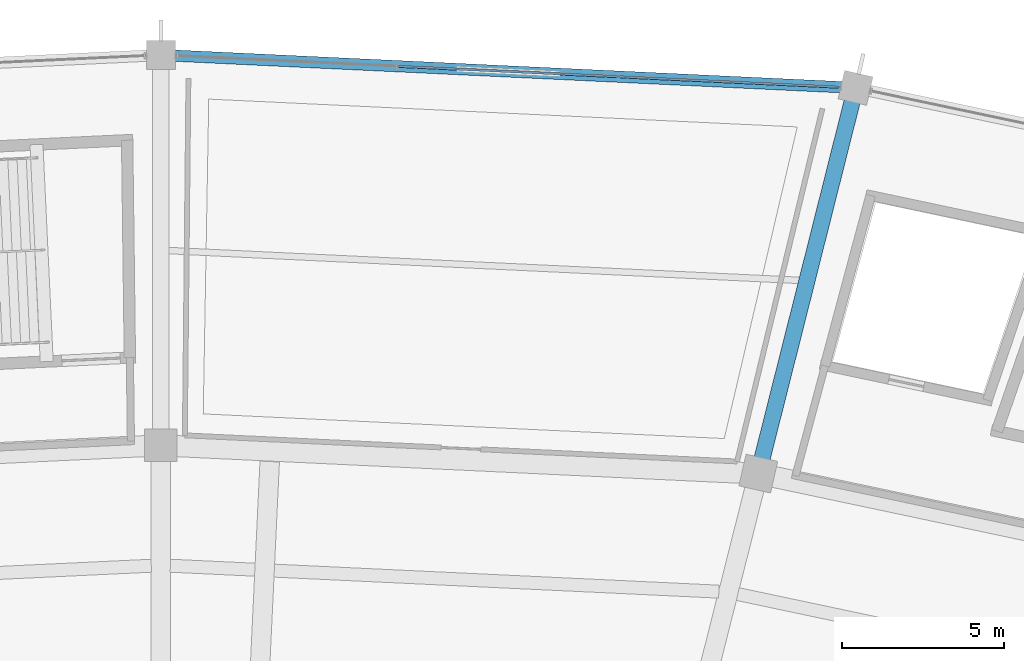
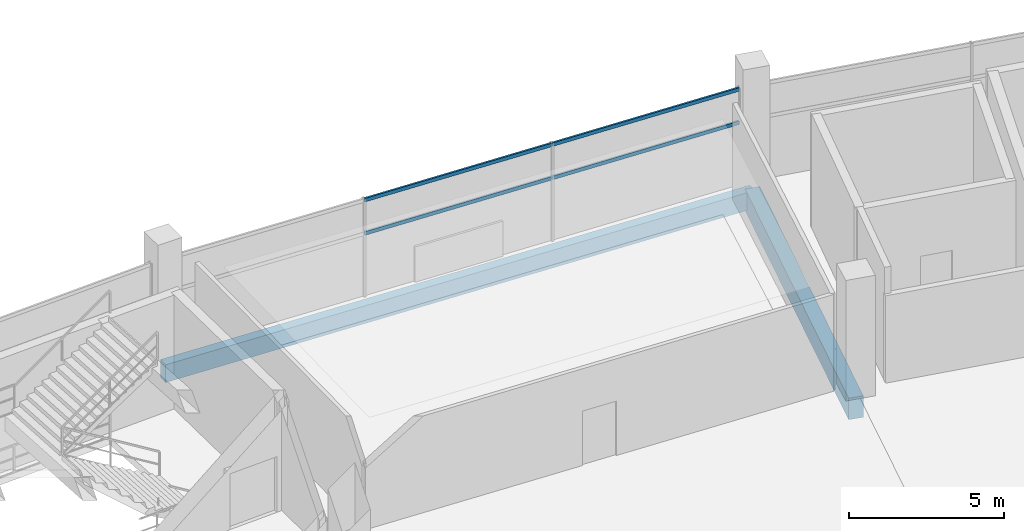
# One storey, part 86 of 156: 4 members, 2 beams, 1 element without a shape of its own.
"""IFC4 building model written with IfcOpenShell, lengths in metres."""

from ifc_helpers import new_model, si_unit, direction, frame, origin, origin_2d, place, context, subcontext, project, spatial, rectangle, hollow_rectangle, extrude, material, layer, layer_set, material_profile, profile_set, type_object, element, aggregate, save


model = new_model("IFC4")

# Units and contexts
model_context = context("Model", 3, precision=1e-05, world=origin(), true_north=direction((0.0, 1.0)))
body_context = subcontext(model_context, "Body", "Model", "MODEL_VIEW")
ifc_project = project(units=[si_unit("LENGTHUNIT", "METRE"), si_unit("AREAUNIT", "SQUARE_METRE"), si_unit("VOLUMEUNIT", "CUBIC_METRE"), si_unit("PLANEANGLEUNIT", "RADIAN"), si_unit("MASSUNIT", "GRAM", prefix="KILO")], contexts=[model_context])

# Site, building, storey
site_placement = place(None, origin())
site = spatial("IfcSite", under=ifc_project, at=site_placement, CompositionType="ELEMENT")
building_placement = place(site_placement, origin())
building = spatial("IfcBuilding", under=site, at=building_placement, Name="Kazemori Nagisa Stadium", CompositionType="ELEMENT")
storey_placement = place(building_placement, frame((0.0, 0.0, 5.780029296875)))
storey = spatial("IfcBuildingStorey", under=building, at=storey_placement, Name="L01", CompositionType="ELEMENT", Elevation=5.780029296875)

# Beams
ifc_material_1 = material(Name="Concrete C40/50 (Fc42)", Category="concrete")
ifc_material_profile_1 = material_profile(ifc_material_1, rectangle(XDim=0.5, YDim=0.85009765625, at=origin_2d()), Name="RC-BM-500x850")
ifc_profile_set_1 = profile_set([ifc_material_profile_1], Name="Concrete C40/50 (Fc42)")
beam_type_1 = type_object("IfcBeamType", Name="Beam_BG-RC500X850", PredefinedType="BEAM", material=ifc_profile_set_1)
beam_1_placement = place(storey_placement, frame((141.427734375, 175.088623046875, -0.705078125), z_axis=(0.244487324834, 0.969652488263, 0.0), x_axis=(-0.969652488263, 0.244487324834, 0.0)))
element("IfcBeam", 1, at=beam_1_placement, inside=storey, type_object=beam_type_1, Name="Radial girder BG-RC500X850 L01 R2-R3-07", PredefinedType="BEAM", context=body_context, shape_type="SweptSolid", body=[
    extrude(rectangle(XDim=0.5, YDim=0.85009765625, at=origin_2d()), origin(), (0.0, 0.0, 1.0), 12.2705078125),
])
ifc_material_profile_2 = material_profile(ifc_material_1, rectangle(XDim=0.35009765625, YDim=0.699951171875, at=origin_2d()), Name="RC-SP-350x700")
ifc_profile_set_2 = profile_set([ifc_material_profile_2], Name="Concrete C40/50 (Fc42)")
beam_type_2 = type_object("IfcBeamType", Name="Beam_BS-RC350X700", PredefinedType="SPANDREL", material=ifc_profile_set_2)
beam_2_placement = place(storey_placement, frame((144.427734375, 186.98681640625, -0.630126953125), z_axis=(-0.998883994571, 0.047230979144, 0.0), x_axis=(-0.047230979144, -0.998883994571, 0.0)))
element("IfcBeam", 2, at=beam_2_placement, inside=storey, type_object=beam_type_2, Name="Ring girder BS-RC350X700 L01 R3-07", PredefinedType="SPANDREL", context=body_context, shape_type="SweptSolid", body=[
    extrude(rectangle(XDim=0.35009765625, YDim=0.699951171875, at=origin_2d()), origin(), (0.0, 0.0, 1.0), 21.45166015625),
])

# Curtain wall, members
ifc_material_2 = material(Name="Anodised aluminium 6063-T5", Category="aluminium")
ifc_layer = layer(ifc_material_2, 0.179931640625, Name="Anodised aluminium 6063-T5", Category="aluminium")
ifc_layer_set = layer_set([ifc_layer], Name="Anodised aluminium 6063-T5")
curtain_wall_type = type_object("IfcCurtainWallType", Name="CW_L01R3_103", PredefinedType="USERDEFINED", material=ifc_layer_set)
curtain_wall_placement = place(storey_placement, origin())
curtain_wall = element("IfcCurtainWall", 3, at=curtain_wall_placement, inside=storey, type_object=curtain_wall_type, Name="Unitised curtain wall CW-L01R3-103 L01", ObjectType="UNITISED CURTAIN WALL", PredefinedType="USERDEFINED")
ifc_material_3 = material(Name="Aluminium 6063-T5 anodised", Category="aluminium")
ifc_material_profile_3 = material_profile(ifc_material_3, hollow_rectangle(XDim=0.070068359375, YDim=0.139892578125, WallThickness=0.00390625, at=origin_2d()), Name="ALU-TRAN-70x140x4")
ifc_profile_set_3 = profile_set([ifc_material_profile_3], Name="Aluminium 6063-T5 anodised")
member_type = type_object("IfcMemberType", Name="Transom_T01", PredefinedType="USERDEFINED", material=ifc_profile_set_3)
member_1_placement = place(storey_placement, frame((143.933349609375, 187.01025390625, 2.4638671875), z_axis=(-0.998884581669, 0.047218561007, 0.0), x_axis=(-0.047218561007, -0.998884581669, 0.0)))
member_1 = element("IfcMember", 4, at=member_1_placement, type_object=member_type, Name="Curtain wall transom CW-L01R3-103-T1-mid", ObjectType="TRANSOM", PredefinedType="USERDEFINED", context=body_context, shape_type="SweptSolid", body=[
    extrude(hollow_rectangle(XDim=0.070068359375, YDim=0.139892578125, WallThickness=0.00390625, at=origin_2d()), origin(), (0.0, 0.0, 1.0), 6.7939453125),
])
member_2_placement = place(storey_placement, frame((143.933349609375, 187.01025390625, 3.780029296875), z_axis=(-0.998884581669, 0.047218561007, 0.0), x_axis=(-0.047218561007, -0.998884581669, 0.0)))
member_2 = element("IfcMember", 5, at=member_2_placement, type_object=member_type, Name="Curtain wall transom CW-L01R3-103-T1-head", ObjectType="TRANSOM", PredefinedType="USERDEFINED", context=body_context, shape_type="SweptSolid", body=[
    extrude(hollow_rectangle(XDim=0.070068359375, YDim=0.139892578125, WallThickness=0.00390625, at=origin_2d()), origin(), (0.0, 0.0, 1.0), 6.7939453125),
])
member_3_placement = place(storey_placement, frame((137.10693359375, 187.3330078125, 2.4638671875), z_axis=(-0.998884501545, 0.047220255973, 0.0), x_axis=(-0.047220255973, -0.998884501545, 0.0)))
member_3 = element("IfcMember", 6, at=member_3_placement, type_object=member_type, Name="Curtain wall transom CW-L01R3-103-T2-mid", ObjectType="TRANSOM", PredefinedType="USERDEFINED", context=body_context, shape_type="SweptSolid", body=[
    extrude(hollow_rectangle(XDim=0.070068359375, YDim=0.139892578125, WallThickness=0.00390625, at=origin_2d()), origin(), (0.0, 0.0, 1.0), 6.793701171875),
])
member_4_placement = place(storey_placement, frame((137.10693359375, 187.3330078125, 3.780029296875), z_axis=(-0.998884501545, 0.047220255973, 0.0), x_axis=(-0.047220255973, -0.998884501545, 0.0)))
member_4 = element("IfcMember", 7, at=member_4_placement, type_object=member_type, Name="Curtain wall transom CW-L01R3-103-T2-head", ObjectType="TRANSOM", PredefinedType="USERDEFINED", context=body_context, shape_type="SweptSolid", body=[
    extrude(hollow_rectangle(XDim=0.070068359375, YDim=0.139892578125, WallThickness=0.00390625, at=origin_2d()), origin(), (0.0, 0.0, 1.0), 6.793701171875),
])
aggregate(curtain_wall, [member_1, member_2, member_3, member_4])

save(model, "model.ifc")
